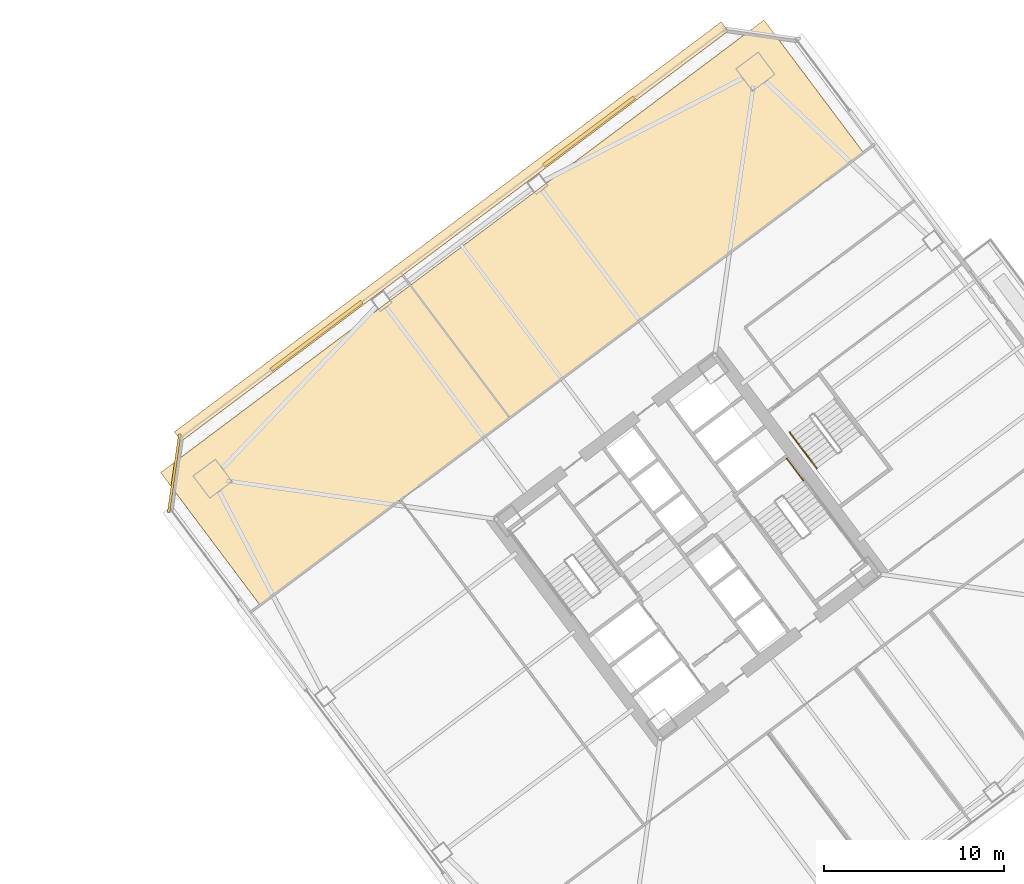
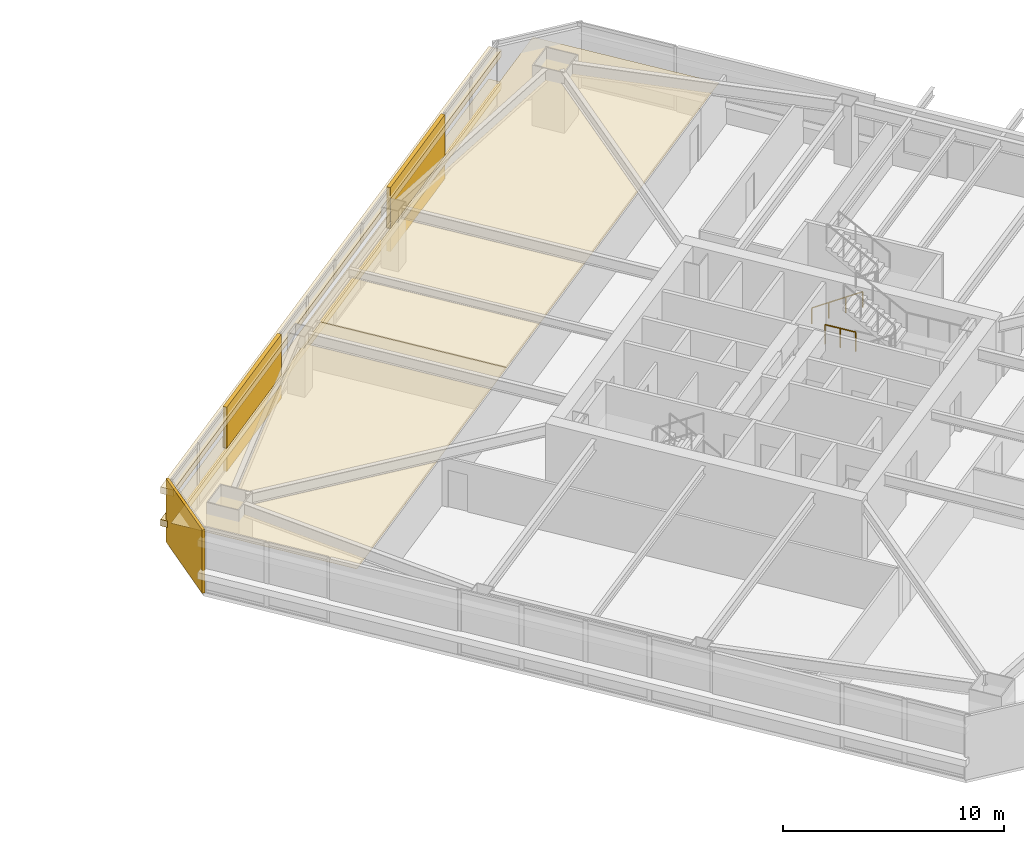
# One storey, part 46 of 47: 7 coverings, 2 railings.
"""IFC4 building model written with IfcOpenShell, lengths in metres."""

from ifc_helpers import new_model, si_unit, direction, frame, origin, origin_2d, place, context, subcontext, project, spatial, polyline, rectangle, outline, extrude, material, layer, layer_set, type_object, element, save


model = new_model("IFC4")

# Units and contexts
model_context = context("Model", 3, precision=1e-05, world=origin(), true_north=direction((0.0, 1.0)))
body_context = subcontext(model_context, "Body", "Model", "MODEL_VIEW")
ifc_project = project(units=[si_unit("LENGTHUNIT", "METRE"), si_unit("AREAUNIT", "SQUARE_METRE"), si_unit("VOLUMEUNIT", "CUBIC_METRE"), si_unit("PLANEANGLEUNIT", "RADIAN"), si_unit("MASSUNIT", "GRAM", prefix="KILO")], contexts=[model_context])

# Site, building, storey
site_placement = place(None, origin())
site = spatial("IfcSite", under=ifc_project, at=site_placement, CompositionType="ELEMENT")
building_placement = place(site_placement, origin())
building = spatial("IfcBuilding", under=site, at=building_placement, Name="Tashvorn Skyway Center", CompositionType="ELEMENT")
storey_placement = place(building_placement, frame((0.0, 0.0, 42.35009765625)))
storey = spatial("IfcBuildingStorey", under=building, at=storey_placement, Name="L10", CompositionType="ELEMENT", Elevation=42.35009765625)

# Coverings
ifc_material_1 = material(Name="Precast concrete C40/50", Category="concrete")
ifc_layer_1 = layer(ifc_material_1, 0.199951171875)
ifc_layer_set_1 = layer_set([ifc_layer_1], Name="Precast concrete C40/50")
covering_type_1 = type_object("IfcCoveringType", Name="COV-BRACE-CLAD", PredefinedType="CLADDING", material=ifc_layer_set_1)
for number, where, z_axis, x_axis, name in (
    (1, (93.43994140625, 43.679931640625, 0.0), (0.0, 0.0, 1.0), (0.799999996291, 0.600000004945, 0.0), "Tower 2 L10 North Unitised Curtain Wall Mega-Brace Cladding Band 1"),
    (2, (108.5439453125, 55.008056640625, 0.0), (0.0, 0.0, 1.0), (0.799999996291, 0.600000004945, 0.0), "Tower 2 L10 North Unitised Curtain Wall Mega-Brace Cladding Band 2"),
):
    element("IfcCovering", number, at=place(storey_placement, frame(where, z_axis=z_axis, x_axis=x_axis)), inside=storey, type_object=covering_type_1, Name=name, PredefinedType="CLADDING", context=body_context, shape_type="SweptSolid", body=[
        extrude(rectangle(XDim=6.293212890625, YDim=0.199951171875, at=origin_2d()), origin(), (0.0, 0.0, 1.0), 3.550048828125),
    ])
ifc_material_2 = material(Name="Mineral-fibre acoustic ceiling tile on suspended grid")
ifc_layer_2 = layer(ifc_material_2, 0.02001953125)
ifc_layer_set_2 = layer_set([ifc_layer_2], Name="Mineral-fibre acoustic ceiling tile on suspended grid")
covering_type_2 = type_object("IfcCoveringType", Name="COV-CEIL-20", PredefinedType="CEILING", material=ifc_layer_set_2)
covering_1_placement = place(storey_placement, frame((0.0, 0.0, 2.682861328125)))
element("IfcCovering", 3, at=covering_1_placement, inside=storey, type_object=covering_type_2, Name="Tower 2 L10 Executive Study Lounge Acoustic Ceiling", PredefinedType="CEILING", context=body_context, shape_type="SweptSolid", body=[
    extrude(outline(polyline([(90.30810546875, 28.756103515625), (104.14794921875, 39.135986328125), (98.639892578125, 46.47998046875), (84.800048828125, 36.10009765625), (90.30810546875, 28.756103515625)])), origin(), (0.0, 0.0, 1.0), 0.02001953125),
])
covering_2_placement = place(storey_placement, frame((0.0, 0.0, 2.682861328125)))
element("IfcCovering", 4, at=covering_2_placement, inside=storey, type_object=covering_type_2, Name="Tower 2 L10 Executive Study Lounge Acoustic Ceiling", PredefinedType="CEILING", context=body_context, shape_type="SweptSolid", body=[
    extrude(outline(polyline([(104.14794921875, 39.135986328125), (123.748046875, 53.8359375), (118.239990234375, 61.179931640625), (98.639892578125, 46.47998046875), (104.14794921875, 39.135986328125)])), origin(), (0.0, 0.0, 1.0), 0.02001953125),
])
ifc_material_3 = material(Name="Perforated ceramic-coated bronze aluminium solar screen", Category="aluminium")
ifc_layer_3 = layer(ifc_material_3, 0.85009765625)
ifc_layer_set_3 = layer_set([ifc_layer_3], Name="Perforated ceramic-coated bronze aluminium solar screen")
covering_type_3 = type_object("IfcCoveringType", Name="COV-SOLAR-BAND", PredefinedType="CLADDING", material=ifc_layer_set_3)
for number, where, z_axis, x_axis, name in (
    (5, (100.907958984375, 49.4560546875, 0.919921875), (0.0, 0.0, 1.0), (0.799999996291, 0.600000004945, 0.0), "L10 Perforated Ceramic-Metal Solar Screen Louvre Band North 1"),
    (6, (100.907958984375, 49.4560546875, 2.7197265625), (0.0, 0.0, 1.0), (0.799999996291, 0.600000004945, 0.0), "L10 Perforated Ceramic-Metal Solar Screen Louvre Band North 2"),
):
    element("IfcCovering", number, at=place(storey_placement, frame(where, z_axis=z_axis, x_axis=x_axis)), inside=storey, type_object=covering_type_3, Name=name, PredefinedType="CLADDING", context=body_context, shape_type="SweptSolid", body=[
        extrude(rectangle(XDim=37.8798828125, YDim=0.639892578125, at=origin_2d()), origin(), (0.0, 0.0, 1.0), 0.360107421875),
    ])
ifc_layer_4 = layer(ifc_material_1, 0.35009765625)
ifc_layer_set_4 = layer_set([ifc_layer_4], Name="Precast concrete C40/50")
covering_type_4 = type_object("IfcCoveringType", Name="COV-STONE-TRIM", PredefinedType="CLADDING", material=ifc_layer_set_4)
covering_3_placement = place(storey_placement, frame((85.552001953125, 36.06396484375, 0.02001953125), z_axis=(0.0, 0.0, 1.0), x_axis=(-0.141421350118, -0.989949494535, 0.0)))
element("IfcCovering", 7, at=covering_3_placement, inside=storey, type_object=covering_type_4, Name="Tower 2 L10 NW Mojave Limestone Corner Quoin", PredefinedType="CLADDING", context=body_context, shape_type="SweptSolid", body=[
    extrude(rectangle(XDim=4.402587890625, YDim=0.139892578125, at=origin_2d()), origin(), (0.0, 0.0, 1.0), 3.510009765625),
])

# Railings
ifc_material_4 = material(Name="Brushed stainless steel 316", Category="steel")
railing_type_1 = type_object("IfcRailingType", Name="RAIL-HAND-920", PredefinedType="HANDRAIL", material=ifc_material_4)
railing_1_placement = place(storey_placement, frame((119.656005859375, 38.342041015625, 0.177490234375)))
element("IfcRailing", 8, at=railing_1_placement, inside=storey, type_object=railing_type_1, Name="L10 ST-T2-3 stair handrail 1", PredefinedType="HANDRAIL", context=body_context, shape_type="SweptSolid", body=[
    extrude(rectangle(XDim=0.048095703125, YDim=0.048095703125, at=origin_2d()), frame((0.0, 0.0, 0.8759765625), z_axis=(0.506740800098, -0.675708949977, 0.535379469569), x_axis=(0.800023250257, 0.599968998406, 0.0)), (0.0, 0.0, 1.0), 2.983642578125),
    extrude(rectangle(XDim=0.0419921875, YDim=0.0419921875, at=origin_2d()), origin(), (0.0, 0.0, 1.0), 0.851806640625),
    extrude(rectangle(XDim=0.0419921875, YDim=0.0419921875, at=origin_2d()), frame((0.50390625, -0.672119140625, 0.532470703125)), (0.0, 0.0, 1.0), 0.851806640625),
    extrude(rectangle(XDim=0.0419921875, YDim=0.0419921875, at=origin_2d()), frame((1.008056640625, -1.343994140625, 1.06494140625)), (0.0, 0.0, 1.0), 0.851806640625),
    extrude(rectangle(XDim=0.0419921875, YDim=0.0419921875, at=origin_2d()), frame((1.511962890625, -2.01611328125, 1.597412109375)), (0.0, 0.0, 1.0), 0.851806640625),
])
ifc_material_5 = material(Name="Painted galvanized steel S355", Category="steel")
railing_type_2 = type_object("IfcRailingType", Name="RAIL-STGUARD-1100", PredefinedType="GUARDRAIL", material=ifc_material_5)
railing_2_placement = place(storey_placement, frame((119.50390625, 36.8779296875, 0.0)))
element("IfcRailing", 9, at=railing_2_placement, inside=storey, type_object=railing_type_2, Name="L10 ST-T2-2 stair guard 6", PredefinedType="GUARDRAIL", context=body_context, shape_type="SweptSolid", body=[
    extrude(rectangle(XDim=0.048095703125, YDim=0.048095703125, at=origin_2d()), frame((0.0, 0.0, 1.076171875), z_axis=(0.600102796382, -0.799922892393, 0.0), x_axis=(0.799922892393, 0.600102796382, 0.0)), (0.0, 0.0, 1.0), 1.52001953125),
    extrude(rectangle(XDim=0.0419921875, YDim=0.0419921875, at=origin_2d()), origin(), (0.0, 0.0, 1.0), 1.052001953125),
    extrude(rectangle(XDim=0.0419921875, YDim=0.0419921875, at=origin_2d()), frame((0.4560546875, -0.60791015625, 0.0)), (0.0, 0.0, 1.0), 1.052001953125),
    extrude(rectangle(XDim=0.0419921875, YDim=0.0419921875, at=origin_2d()), frame((0.912109375, -1.2158203125, 0.0)), (0.0, 0.0, 1.0), 1.052001953125),
])

save(model, "model.ifc")
